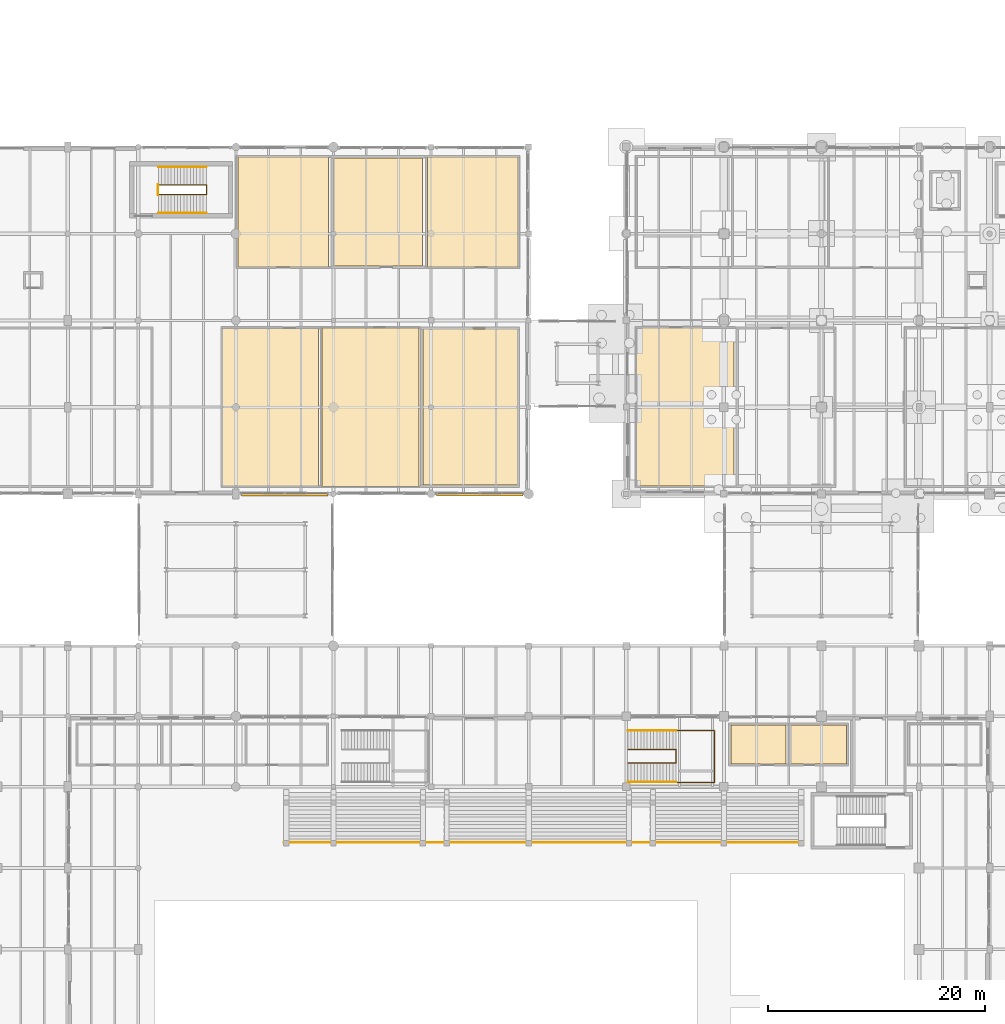
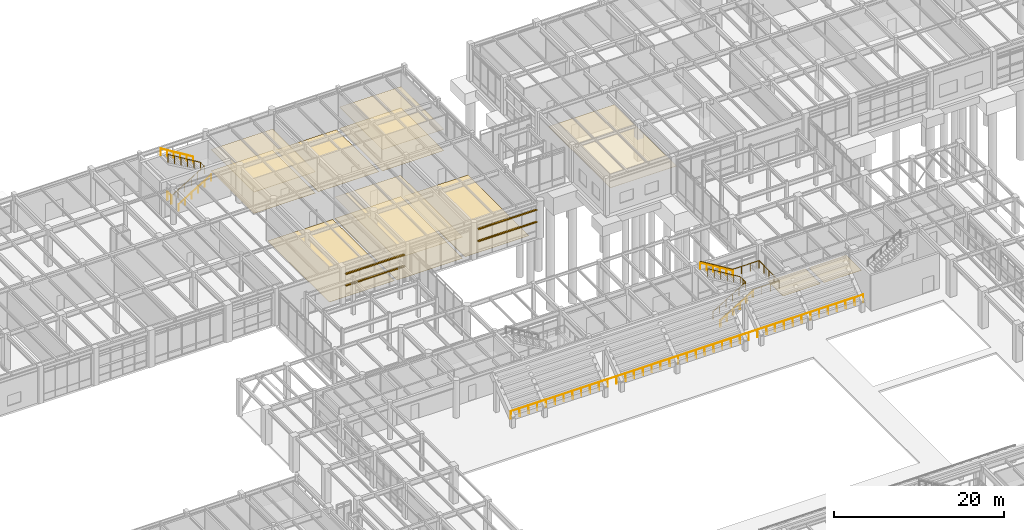
# One storey, part 198 of 203: 12 coverings, 9 railings, 4 shading devices.
"""IFC4 building model written with IfcOpenShell, lengths in metres."""

from ifc_helpers import new_model, si_unit, direction, frame, origin, origin_2d, place, context, subcontext, project, spatial, polyline, rectangle, circle, outline, extrude, material, layer, layer_set, type_object, element, save


model = new_model("IFC4")

# Units and contexts
model_context = context("Model", 3, precision=1e-05, world=origin(), true_north=direction((0.0, 1.0)))
body_context = subcontext(model_context, "Body", "Model", "MODEL_VIEW")
ifc_project = project(units=[si_unit("LENGTHUNIT", "METRE"), si_unit("AREAUNIT", "SQUARE_METRE"), si_unit("VOLUMEUNIT", "CUBIC_METRE"), si_unit("PLANEANGLEUNIT", "RADIAN"), si_unit("MASSUNIT", "GRAM", prefix="KILO"), si_unit("THERMODYNAMICTEMPERATUREUNIT", "KELVIN"), si_unit("POWERUNIT", "WATT")], contexts=[model_context])

# Site, building, storey
site_placement = place(None, origin())
site = spatial("IfcSite", under=ifc_project, at=site_placement, CompositionType="ELEMENT")
building_placement = place(site_placement, origin())
building = spatial("IfcBuilding", under=site, at=building_placement, Name="Tepalcoro Natatorium and Aquatics Centre", CompositionType="ELEMENT")
storey_placement = place(building_placement, origin())
storey = spatial("IfcBuildingStorey", under=building, at=storey_placement, Name="L00", CompositionType="ELEMENT", Elevation=0.0)

# Railing
ifc_material_1 = material(Name="Marine-Grade Brushed Stainless Steel AISI 316L", Category="steel")
railing_type_1 = type_object("IfcRailingType", Name="BL_GLASS_1100", PredefinedType="BALUSTRADE", material=ifc_material_1)
railing_1_placement = place(storey_placement, frame((66.449951171875, 53.85009765625, 1.199951171875)))
element("IfcRailing", 1, at=railing_1_placement, inside=storey, type_object=railing_type_1, Name="Spectator Stand Front Pool-Deck Sightline Guard N", PredefinedType="BALUSTRADE", context=body_context, shape_type="SweptSolid", body=[
    extrude(circle(Radius=0.02392578125, at=origin_2d()), frame((0.0, 0.0, 1.09619140625), z_axis=(1.0, 0.0, 0.0), x_axis=(0.0, 1.0, 0.0)), (0.0, 0.0, 1.0), 47.900146484375),
    extrude(circle(Radius=0.02099609375, at=origin_2d()), origin(), (0.0, 0.0, 1.0), 1.072021484375),
    extrude(circle(Radius=0.02099609375, at=origin_2d()), frame((1.197509765625, 0.0, 0.0)), (0.0, 0.0, 1.0), 1.072021484375),
    extrude(circle(Radius=0.02099609375, at=origin_2d()), frame((2.39501953125, 0.0, 0.0)), (0.0, 0.0, 1.0), 1.072021484375),
    extrude(circle(Radius=0.02099609375, at=origin_2d()), frame((3.592529296875, 0.0, 0.0)), (0.0, 0.0, 1.0), 1.072021484375),
    extrude(circle(Radius=0.02099609375, at=origin_2d()), frame((4.7900390625, 0.0, 0.0)), (0.0, 0.0, 1.0), 1.072021484375),
    extrude(circle(Radius=0.02099609375, at=origin_2d()), frame((5.987548828125, 0.0, 0.0)), (0.0, 0.0, 1.0), 1.072021484375),
    extrude(circle(Radius=0.02099609375, at=origin_2d()), frame((7.18505859375, 0.0, 0.0)), (0.0, 0.0, 1.0), 1.072021484375),
    extrude(circle(Radius=0.02099609375, at=origin_2d()), frame((8.382568359375, 0.0, 0.0)), (0.0, 0.0, 1.0), 1.072021484375),
    extrude(circle(Radius=0.02099609375, at=origin_2d()), frame((9.580078125, 0.0, 0.0)), (0.0, 0.0, 1.0), 1.072021484375),
    extrude(circle(Radius=0.02099609375, at=origin_2d()), frame((10.777587890625, 0.0, 0.0)), (0.0, 0.0, 1.0), 1.072021484375),
    extrude(circle(Radius=0.02099609375, at=origin_2d()), frame((11.97509765625, 0.0, 0.0)), (0.0, 0.0, 1.0), 1.072021484375),
    extrude(circle(Radius=0.02099609375, at=origin_2d()), frame((13.172607421875, 0.0, 0.0)), (0.0, 0.0, 1.0), 1.072021484375),
    extrude(circle(Radius=0.02099609375, at=origin_2d()), frame((14.3701171875, 0.0, 0.0)), (0.0, 0.0, 1.0), 1.072021484375),
    extrude(circle(Radius=0.02099609375, at=origin_2d()), frame((15.567626953125, 0.0, 0.0)), (0.0, 0.0, 1.0), 1.072021484375),
    extrude(circle(Radius=0.02099609375, at=origin_2d()), frame((16.76513671875, 0.0, 0.0)), (0.0, 0.0, 1.0), 1.072021484375),
    extrude(circle(Radius=0.02099609375, at=origin_2d()), frame((17.962646484375, 0.0, 0.0)), (0.0, 0.0, 1.0), 1.072021484375),
    extrude(circle(Radius=0.02099609375, at=origin_2d()), frame((19.16015625, 0.0, 0.0)), (0.0, 0.0, 1.0), 1.072021484375),
    extrude(circle(Radius=0.02099609375, at=origin_2d()), frame((20.357666015625, 0.0, 0.0)), (0.0, 0.0, 1.0), 1.072021484375),
    extrude(circle(Radius=0.02099609375, at=origin_2d()), frame((21.55517578125, 0.0, 0.0)), (0.0, 0.0, 1.0), 1.072021484375),
    extrude(circle(Radius=0.02099609375, at=origin_2d()), frame((22.752685546875, 0.0, 0.0)), (0.0, 0.0, 1.0), 1.072021484375),
    extrude(circle(Radius=0.02099609375, at=origin_2d()), frame((23.9501953125, 0.0, 0.0)), (0.0, 0.0, 1.0), 1.072021484375),
    extrude(circle(Radius=0.02099609375, at=origin_2d()), frame((25.1474609375, 0.0, 0.0)), (0.0, 0.0, 1.0), 1.072021484375),
    extrude(circle(Radius=0.02099609375, at=origin_2d()), frame((26.344970703125, 0.0, 0.0)), (0.0, 0.0, 1.0), 1.072021484375),
    extrude(circle(Radius=0.02099609375, at=origin_2d()), frame((27.54248046875, 0.0, 0.0)), (0.0, 0.0, 1.0), 1.072021484375),
    extrude(circle(Radius=0.02099609375, at=origin_2d()), frame((28.739990234375, 0.0, 0.0)), (0.0, 0.0, 1.0), 1.072021484375),
    extrude(circle(Radius=0.02099609375, at=origin_2d()), frame((29.9375, 0.0, 0.0)), (0.0, 0.0, 1.0), 1.072021484375),
    extrude(circle(Radius=0.02099609375, at=origin_2d()), frame((31.135009765625, 0.0, 0.0)), (0.0, 0.0, 1.0), 1.072021484375),
    extrude(circle(Radius=0.02099609375, at=origin_2d()), frame((32.33251953125, 0.0, 0.0)), (0.0, 0.0, 1.0), 1.072021484375),
    extrude(circle(Radius=0.02099609375, at=origin_2d()), frame((33.530029296875, 0.0, 0.0)), (0.0, 0.0, 1.0), 1.072021484375),
    extrude(circle(Radius=0.02099609375, at=origin_2d()), frame((34.7275390625, 0.0, 0.0)), (0.0, 0.0, 1.0), 1.072021484375),
    extrude(circle(Radius=0.02099609375, at=origin_2d()), frame((35.925048828125, 0.0, 0.0)), (0.0, 0.0, 1.0), 1.072021484375),
    extrude(circle(Radius=0.02099609375, at=origin_2d()), frame((37.12255859375, 0.0, 0.0)), (0.0, 0.0, 1.0), 1.072021484375),
    extrude(circle(Radius=0.02099609375, at=origin_2d()), frame((38.320068359375, 0.0, 0.0)), (0.0, 0.0, 1.0), 1.072021484375),
    extrude(circle(Radius=0.02099609375, at=origin_2d()), frame((39.517578125, 0.0, 0.0)), (0.0, 0.0, 1.0), 1.072021484375),
    extrude(circle(Radius=0.02099609375, at=origin_2d()), frame((40.715087890625, 0.0, 0.0)), (0.0, 0.0, 1.0), 1.072021484375),
    extrude(circle(Radius=0.02099609375, at=origin_2d()), frame((41.91259765625, 0.0, 0.0)), (0.0, 0.0, 1.0), 1.072021484375),
    extrude(circle(Radius=0.02099609375, at=origin_2d()), frame((43.110107421875, 0.0, 0.0)), (0.0, 0.0, 1.0), 1.072021484375),
    extrude(circle(Radius=0.02099609375, at=origin_2d()), frame((44.3076171875, 0.0, 0.0)), (0.0, 0.0, 1.0), 1.072021484375),
    extrude(circle(Radius=0.02099609375, at=origin_2d()), frame((45.505126953125, 0.0, 0.0)), (0.0, 0.0, 1.0), 1.072021484375),
    extrude(circle(Radius=0.02099609375, at=origin_2d()), frame((46.70263671875, 0.0, 0.0)), (0.0, 0.0, 1.0), 1.072021484375),
    extrude(circle(Radius=0.02099609375, at=origin_2d()), frame((47.900146484375, 0.0, 0.0)), (0.0, 0.0, 1.0), 1.072021484375),
])

# Coverings
ifc_material_2 = material(Name="Perforated Corrosion-Resistant Acoustic Aluminium Baffle Ceiling", Category="aluminium")
ifc_layer_1 = layer(ifc_material_2, 0.044921875)
ifc_layer_set_1 = layer_set([ifc_layer_1], Name="Perforated Corrosion-Resistant Acoustic Aluminium Baffle Ceiling")
covering_type_1 = type_object("IfcCoveringType", Name="CL_BAFFLE_120", PredefinedType="CEILING", material=ifc_layer_set_1)
covering_1_placement = place(storey_placement, frame((0.0, 0.0, 3.050048828125)))
element("IfcCovering", 2, at=covering_1_placement, inside=storey, type_object=covering_type_1, Name="Swim Coaching Office & Pool Deck First Aid Suspended Ceiling", PredefinedType="CEILING", context=body_context, shape_type="SweptSolid", body=[
    extrude(outline(polyline([(69.929931640625, 86.68994140625), (69.929931640625, 101.31005859375), (78.8701171875, 101.31005859375), (78.8701171875, 86.68994140625), (69.929931640625, 86.68994140625)])), origin(), (0.0, 0.0, 1.0), 0.044921875),
])
ifc_material_3 = material(Name="Moisture-Resistant Acoustic Gypsum Drywall on Cold-Formed Metal Studs")
ifc_layer_2 = layer(ifc_material_3, 0.030029296875)
ifc_layer_set_2 = layer_set([ifc_layer_2], Name="Moisture-Resistant Acoustic Gypsum Drywall on Cold-Formed Metal Studs")
covering_type_2 = type_object("IfcCoveringType", Name="CL_GYPSUM_30", PredefinedType="CEILING", material=ifc_layer_set_2)
covering_2_placement = place(storey_placement, frame((0.0, 0.0, 3.050048828125)))
element("IfcCovering", 3, at=covering_2_placement, inside=storey, type_object=covering_type_2, Name="Aquatic Rehab Mobility Aid & Hoist Store Suspended Ceiling", PredefinedType="CEILING", context=body_context, shape_type="SweptSolid", body=[
    extrude(outline(polyline([(79.64697265625, 106.93994140625), (79.64697265625, 117.06005859375), (88.02001953125, 117.06005859375), (88.02001953125, 106.93994140625), (79.64697265625, 106.93994140625)])), origin(), (0.0, 0.0, 1.0), 0.030029296875),
])
ifc_layer_3 = layer(ifc_material_2, 0.0400390625)
ifc_layer_set_3 = layer_set([ifc_layer_3], Name="Perforated Corrosion-Resistant Acoustic Aluminium Baffle Ceiling")
covering_type_3 = type_object("IfcCoveringType", Name="CL_PERF_AL_40", PredefinedType="CEILING", material=ifc_layer_set_3)
covering_3_placement = place(storey_placement, frame((0.0, 0.0, 3.050048828125)))
element("IfcCovering", 4, at=covering_3_placement, inside=storey, type_object=covering_type_3, Name="Hydrotherapy & Pediatric Rehab Consultation Suite Suspended Ceiling", PredefinedType="CEILING", context=body_context, shape_type="SweptSolid", body=[
    extrude(outline(polyline([(62.179931640625, 106.93994140625), (62.179931640625, 117.06005859375), (70.552978515625, 117.06005859375), (70.552978515625, 106.93994140625), (62.179931640625, 106.93994140625)])), origin(), (0.0, 0.0, 1.0), 0.0400390625),
])
covering_4_placement = place(storey_placement, frame((0.0, 0.0, 3.050048828125)))
element("IfcCovering", 5, at=covering_4_placement, inside=storey, type_object=covering_type_3, Name="Garden Courtyard Cafe & Espresso Terrace Lounge Suspended Ceiling", PredefinedType="CEILING", context=body_context, shape_type="SweptSolid", body=[
    extrude(outline(polyline([(98.955078125, 86.715087890625), (98.955078125, 101.284912109375), (107.945068359375, 101.284912109375), (107.945068359375, 86.715087890625), (98.955078125, 86.715087890625)])), origin(), (0.0, 0.0, 1.0), 0.0400390625),
])
ifc_material_4 = material(Name="Shock-Absorbing Vulcanised Athletic Rubber Flooring")
ifc_layer_4 = layer(ifc_material_4, 0.010009765625)
ifc_layer_set_4 = layer_set([ifc_layer_4], Name="Shock-Absorbing Vulcanised Athletic Rubber Flooring")
covering_type_4 = type_object("IfcCoveringType", Name="FL_CARPET_10", PredefinedType="FLOORING", material=ifc_layer_set_4)
covering_5_placement = place(storey_placement, origin())
element("IfcCovering", 6, at=covering_5_placement, inside=storey, type_object=covering_type_4, Name="Aquatic Rehab Mobility Aid & Hoist Store Floor Finish", PredefinedType="FLOORING", context=body_context, shape_type="SweptSolid", body=[
    extrude(outline(polyline([(79.64697265625, 106.93994140625), (79.64697265625, 117.06005859375), (88.02001953125, 117.06005859375), (88.02001953125, 106.93994140625), (79.64697265625, 106.93994140625)])), origin(), (0.0, 0.0, 1.0), 0.010009765625),
])
ifc_material_5 = material(Name="Slip-Resistant Porcelain Aquatic Deck Tile")
ifc_layer_5 = layer(ifc_material_5, 0.02197265625)
ifc_layer_set_5 = layer_set([ifc_layer_5], Name="Slip-Resistant Porcelain Aquatic Deck Tile")
covering_type_5 = type_object("IfcCoveringType", Name="FL_DECK_TILE_22", PredefinedType="FLOORING", material=ifc_layer_set_5)
covering_6_placement = place(storey_placement, origin())
element("IfcCovering", 7, at=covering_6_placement, inside=storey, type_object=covering_type_5, Name="Swim Coaching Office & Pool Deck First Aid Floor Finish", PredefinedType="FLOORING", context=body_context, shape_type="SweptSolid", body=[
    extrude(outline(polyline([(69.929931640625, 86.68994140625), (69.929931640625, 101.31005859375), (78.8701171875, 101.31005859375), (78.8701171875, 86.68994140625), (69.929931640625, 86.68994140625)])), origin(), (0.0, 0.0, 1.0), 0.02197265625),
])
ifc_material_6 = material(Name="Chemical-Resistant Quartz-Broadcast Epoxy Flooring")
ifc_layer_6 = layer(ifc_material_6, 0.008056640625)
ifc_layer_set_6 = layer_set([ifc_layer_6], Name="Chemical-Resistant Quartz-Broadcast Epoxy Flooring")
covering_type_6 = type_object("IfcCoveringType", Name="FL_EPOXY_8", PredefinedType="FLOORING", material=ifc_layer_set_6)
covering_7_placement = place(storey_placement, origin())
element("IfcCovering", 8, at=covering_7_placement, inside=storey, type_object=covering_type_6, Name="Pre-Swim Cleansing Showers & Accessible Changing East Floor Finish", PredefinedType="FLOORING", context=body_context, shape_type="SweptSolid", body=[
    extrude(outline(polyline([(113.205078125, 61.090087890625), (113.205078125, 64.7099609375), (118.320068359375, 64.7099609375), (118.320068359375, 61.090087890625), (113.205078125, 61.090087890625)])), origin(), (0.0, 0.0, 1.0), 0.008056640625),
])
covering_8_placement = place(storey_placement, origin())
element("IfcCovering", 9, at=covering_8_placement, inside=storey, type_object=covering_type_6, Name="Hydrotherapy Accessible Assisted Bathroom Floor Finish", PredefinedType="FLOORING", context=body_context, shape_type="SweptSolid", body=[
    extrude(outline(polyline([(70.98291015625, 107.010009765625), (70.98291015625, 116.989990234375), (79.217041015625, 116.989990234375), (79.217041015625, 107.010009765625), (70.98291015625, 107.010009765625)])), origin(), (0.0, 0.0, 1.0), 0.008056640625),
])
ifc_material_7 = material(Name="Polished Jalisco Basalt Aggregate Terrazzo Flooring", Category="masonry")
ifc_layer_7 = layer(ifc_material_7, 0.028076171875)
ifc_layer_set_7 = layer_set([ifc_layer_7], Name="Polished Jalisco Basalt Aggregate Terrazzo Flooring")
covering_type_7 = type_object("IfcCoveringType", Name="FL_TERRAZZO_25", PredefinedType="FLOORING", material=ifc_layer_set_7)
covering_9_placement = place(storey_placement, origin())
element("IfcCovering", 10, at=covering_9_placement, inside=storey, type_object=covering_type_7, Name="Team Wet Changing Village East & Lockers Floor Finish", PredefinedType="FLOORING", context=body_context, shape_type="SweptSolid", body=[
    extrude(outline(polyline([(107.64990234375, 61.110107421875), (107.64990234375, 64.68994140625), (112.72509765625, 64.68994140625), (112.72509765625, 61.110107421875), (107.64990234375, 61.110107421875)])), origin(), (0.0, 0.0, 1.0), 0.028076171875),
])
covering_10_placement = place(storey_placement, origin())
element("IfcCovering", 11, at=covering_10_placement, inside=storey, type_object=covering_type_7, Name="Hydrotherapy & Pediatric Rehab Consultation Suite Floor Finish", PredefinedType="FLOORING", context=body_context, shape_type="SweptSolid", body=[
    extrude(outline(polyline([(62.179931640625, 106.93994140625), (62.179931640625, 117.06005859375), (70.552978515625, 117.06005859375), (70.552978515625, 106.93994140625), (62.179931640625, 106.93994140625)])), origin(), (0.0, 0.0, 1.0), 0.028076171875),
])
ifc_layer_8 = layer(ifc_material_5, 0.01806640625)
ifc_layer_set_8 = layer_set([ifc_layer_8], Name="Slip-Resistant Porcelain Aquatic Deck Tile")
covering_type_8 = type_object("IfcCoveringType", Name="FL_TILE_18", PredefinedType="FLOORING", material=ifc_layer_set_8)
covering_11_placement = place(storey_placement, origin())
element("IfcCovering", 12, at=covering_11_placement, inside=storey, type_object=covering_type_8, Name="School Swim Group Changing Village Floor Finish", PredefinedType="FLOORING", context=body_context, shape_type="SweptSolid", body=[
    extrude(outline(polyline([(60.780029296875, 86.739990234375), (60.780029296875, 101.260009765625), (69.6201171875, 101.260009765625), (69.6201171875, 86.739990234375), (60.780029296875, 86.739990234375)])), origin(), (0.0, 0.0, 1.0), 0.01806640625),
])
ifc_material_8 = material(Name="Sprung Maple Sports Floor Assembly")
ifc_layer_9 = layer(ifc_material_8, 0.02392578125)
ifc_layer_set_9 = layer_set([ifc_layer_9], Name="Sprung Maple Sports Floor Assembly")
covering_type_9 = type_object("IfcCoveringType", Name="FL_WOOD_22", PredefinedType="FLOORING", material=ifc_layer_set_9)
covering_12_placement = place(storey_placement, origin())
element("IfcCovering", 13, at=covering_12_placement, inside=storey, type_object=covering_type_9, Name="Community Pool Male & Female Toilets Floor Finish", PredefinedType="FLOORING", context=body_context, shape_type="SweptSolid", body=[
    extrude(outline(polyline([(79.25, 86.81005859375), (79.25, 101.18994140625), (87.949951171875, 101.18994140625), (87.949951171875, 86.81005859375), (79.25, 86.81005859375)])), origin(), (0.0, 0.0, 1.0), 0.02392578125),
])

# Railings
railing_type_2 = type_object("IfcRailingType", Name="RL_GLASS_1100", PredefinedType="GUARDRAIL", material=ifc_material_1)
railing_2_placement = place(storey_placement, frame((54.85009765625, 113.60009765625, 0.0)))
element("IfcRailing", 14, at=railing_2_placement, inside=storey, type_object=railing_type_2, Name="ST08-L00 Inner Stairwell Guardrail", PredefinedType="GUARDRAIL", context=body_context, shape_type="SweptSolid", body=[
    extrude(circle(Radius=0.02392578125, at=origin_2d()), frame((0.0, 0.0, 1.09619140625), z_axis=(0.853633246166, 0.0, 0.520874534835), x_axis=(0.0, 1.0, 0.0)), (0.0, 0.0, 1.0), 5.18359375),
    extrude(circle(Radius=0.02392578125, at=origin_2d()), frame((4.4248046875, 0.0, 3.7958984375), z_axis=(0.0, 1.0, 0.0), x_axis=(-1.0, 0.0, 0.0)), (0.0, 0.0, 1.0), 0.89990234375),
    extrude(circle(Radius=0.02392578125, at=origin_2d()), frame((4.4248046875, 0.89990234375, 3.7958984375), z_axis=(-0.853633246166, 0.0, 0.520874534835), x_axis=(0.0, -1.0, 0.0)), (0.0, 0.0, 1.0), 5.18359375),
    extrude(circle(Radius=0.02099609375, at=origin_2d()), origin(), (0.0, 0.0, 1.0), 1.072021484375),
    extrude(circle(Radius=0.02099609375, at=origin_2d()), frame((0.885009765625, 0.0, 0.5400390625)), (0.0, 0.0, 1.0), 1.072021484375),
    extrude(circle(Radius=0.02099609375, at=origin_2d()), frame((1.77001953125, 0.0, 1.080078125)), (0.0, 0.0, 1.0), 1.072021484375),
    extrude(circle(Radius=0.02099609375, at=origin_2d()), frame((2.65478515625, 0.0, 1.619873046875)), (0.0, 0.0, 1.0), 1.072021484375),
    extrude(circle(Radius=0.02099609375, at=origin_2d()), frame((3.539794921875, 0.0, 2.159912109375)), (0.0, 0.0, 1.0), 1.072021484375),
    extrude(circle(Radius=0.02099609375, at=origin_2d()), frame((4.4248046875, 0.0, 2.699951171875)), (0.0, 0.0, 1.0), 1.072021484375),
    extrude(circle(Radius=0.02099609375, at=origin_2d()), frame((4.4248046875, 0.89990234375, 2.699951171875)), (0.0, 0.0, 1.0), 1.072021484375),
    extrude(circle(Radius=0.02099609375, at=origin_2d()), frame((3.539794921875, 0.89990234375, 3.239990234375)), (0.0, 0.0, 1.0), 1.072021484375),
    extrude(circle(Radius=0.02099609375, at=origin_2d()), frame((2.65478515625, 0.89990234375, 3.780029296875)), (0.0, 0.0, 1.0), 1.072021484375),
    extrude(circle(Radius=0.02099609375, at=origin_2d()), frame((1.77001953125, 0.89990234375, 4.31982421875)), (0.0, 0.0, 1.0), 1.072021484375),
    extrude(circle(Radius=0.02099609375, at=origin_2d()), frame((0.885009765625, 0.89990234375, 4.85986328125)), (0.0, 0.0, 1.0), 1.072021484375),
    extrude(circle(Radius=0.02099609375, at=origin_2d()), frame((0.0, 0.89990234375, 5.39990234375)), (0.0, 0.0, 1.0), 1.072021484375),
])
railing_3_placement = place(storey_placement, frame((54.820068359375, 113.56005859375, 0.0)))
element("IfcRailing", 15, at=railing_3_placement, inside=storey, type_object=railing_type_2, Name="ST08-L00 Landing Well Slot Guard", PredefinedType="GUARDRAIL", context=body_context, shape_type="SweptSolid", body=[
    extrude(circle(Radius=0.02392578125, at=origin_2d()), frame((0.0, 0.0, 1.09619140625), z_axis=(0.0, 1.0, 0.0), x_axis=(-1.0, 0.0, 0.0)), (0.0, 0.0, 1.0), 0.97998046875),
    extrude(circle(Radius=0.02099609375, at=origin_2d()), origin(), (0.0, 0.0, 1.0), 1.072021484375),
    extrude(circle(Radius=0.02099609375, at=origin_2d()), frame((0.0, 0.97998046875, 0.0)), (0.0, 0.0, 1.0), 1.072021484375),
])
ifc_material_9 = material(Name="Bronze-Anodised Extruded Aluminium Alloy EN AW-6063 T6", Category="aluminium")
railing_type_3 = type_object("IfcRailingType", Name="RL_HAND_900_BRZ", PredefinedType="HANDRAIL", material=ifc_material_9)
railing_4_placement = place(storey_placement, frame((98.159912109375, 59.429931640625, 0.0)))
element("IfcRailing", 16, at=railing_4_placement, inside=storey, type_object=railing_type_3, Name="ST24 Wall Handrail F1", PredefinedType="HANDRAIL", context=body_context, shape_type="SweptSolid", body=[
    extrude(circle(Radius=0.02392578125, at=origin_2d()), frame((0.0, 0.0, 0.8759765625), z_axis=(0.853646024003, 0.0, 0.520853593349), x_axis=(0.0, 1.0, 0.0)), (0.0, 0.0, 1.0), 5.18359375),
    extrude(circle(Radius=0.02099609375, at=origin_2d()), origin(), (0.0, 0.0, 1.0), 0.851806640625),
    extrude(circle(Radius=0.02099609375, at=origin_2d()), frame((0.885009765625, 0.0, 0.5400390625)), (0.0, 0.0, 1.0), 0.851806640625),
    extrude(circle(Radius=0.02099609375, at=origin_2d()), frame((1.77001953125, 0.0, 1.080078125)), (0.0, 0.0, 1.0), 0.851806640625),
    extrude(circle(Radius=0.02099609375, at=origin_2d()), frame((2.655029296875, 0.0, 1.619873046875)), (0.0, 0.0, 1.0), 0.851806640625),
    extrude(circle(Radius=0.02099609375, at=origin_2d()), frame((3.5400390625, 0.0, 2.159912109375)), (0.0, 0.0, 1.0), 0.851806640625),
    extrude(circle(Radius=0.02099609375, at=origin_2d()), frame((4.425048828125, 0.0, 2.699951171875)), (0.0, 0.0, 1.0), 0.851806640625),
])
railing_5_placement = place(storey_placement, frame((102.5849609375, 64.169921875, 2.699951171875)))
element("IfcRailing", 17, at=railing_5_placement, inside=storey, type_object=railing_type_3, Name="ST24 Wall Handrail F2", PredefinedType="HANDRAIL", context=body_context, shape_type="SweptSolid", body=[
    extrude(circle(Radius=0.02392578125, at=origin_2d()), frame((0.0, 0.0, 0.8759765625), z_axis=(-0.853646024003, 0.0, 0.520853593349), x_axis=(0.0, -1.0, 0.0)), (0.0, 0.0, 1.0), 5.18359375),
    extrude(circle(Radius=0.02099609375, at=origin_2d()), origin(), (0.0, 0.0, 1.0), 0.851806640625),
    extrude(circle(Radius=0.02099609375, at=origin_2d()), frame((-0.885009765625, 0.0, 0.5400390625)), (0.0, 0.0, 1.0), 0.851806640625),
    extrude(circle(Radius=0.02099609375, at=origin_2d()), frame((-1.77001953125, 0.0, 1.080078125)), (0.0, 0.0, 1.0), 0.851806640625),
    extrude(circle(Radius=0.02099609375, at=origin_2d()), frame((-2.655029296875, 0.0, 1.619873046875)), (0.0, 0.0, 1.0), 0.851806640625),
    extrude(circle(Radius=0.02099609375, at=origin_2d()), frame((-3.5400390625, 0.0, 2.159912109375)), (0.0, 0.0, 1.0), 0.851806640625),
    extrude(circle(Radius=0.02099609375, at=origin_2d()), frame((-4.425048828125, 0.0, 2.699951171875)), (0.0, 0.0, 1.0), 0.851806640625),
])
railing_type_4 = type_object("IfcRailingType", Name="RL_HAND_920_SS", PredefinedType="HANDRAIL", material=ifc_material_1)
railing_6_placement = place(storey_placement, frame((54.85009765625, 111.929931640625, 0.0)))
element("IfcRailing", 18, at=railing_6_placement, inside=storey, type_object=railing_type_4, Name="ST08-L00 Wall Handrail F1", PredefinedType="HANDRAIL", context=body_context, shape_type="SweptSolid", body=[
    extrude(circle(Radius=0.02392578125, at=origin_2d()), frame((0.0, 0.0, 0.89599609375), z_axis=(0.853633246166, 0.0, 0.520874534835), x_axis=(0.0, 1.0, 0.0)), (0.0, 0.0, 1.0), 5.18359375),
    extrude(circle(Radius=0.02099609375, at=origin_2d()), origin(), (0.0, 0.0, 1.0), 0.871826171875),
    extrude(circle(Radius=0.02099609375, at=origin_2d()), frame((0.885009765625, 0.0, 0.5400390625)), (0.0, 0.0, 1.0), 0.871826171875),
    extrude(circle(Radius=0.02099609375, at=origin_2d()), frame((1.77001953125, 0.0, 1.080078125)), (0.0, 0.0, 1.0), 0.871826171875),
    extrude(circle(Radius=0.02099609375, at=origin_2d()), frame((2.65478515625, 0.0, 1.619873046875)), (0.0, 0.0, 1.0), 0.871826171875),
    extrude(circle(Radius=0.02099609375, at=origin_2d()), frame((3.539794921875, 0.0, 2.159912109375)), (0.0, 0.0, 1.0), 0.871826171875),
    extrude(circle(Radius=0.02099609375, at=origin_2d()), frame((4.4248046875, 0.0, 2.699951171875)), (0.0, 0.0, 1.0), 0.871826171875),
])
railing_7_placement = place(storey_placement, frame((59.27490234375, 116.169921875, 2.699951171875)))
element("IfcRailing", 19, at=railing_7_placement, inside=storey, type_object=railing_type_4, Name="ST08-L00 Wall Handrail F2", PredefinedType="HANDRAIL", context=body_context, shape_type="SweptSolid", body=[
    extrude(circle(Radius=0.02392578125, at=origin_2d()), frame((0.0, 0.0, 0.89599609375), z_axis=(-0.853633246166, 0.0, 0.520874534835), x_axis=(0.0, -1.0, 0.0)), (0.0, 0.0, 1.0), 5.18359375),
    extrude(circle(Radius=0.02099609375, at=origin_2d()), origin(), (0.0, 0.0, 1.0), 0.871826171875),
    extrude(circle(Radius=0.02099609375, at=origin_2d()), frame((-0.885009765625, 0.0, 0.5400390625)), (0.0, 0.0, 1.0), 0.871826171875),
    extrude(circle(Radius=0.02099609375, at=origin_2d()), frame((-1.77001953125, 0.0, 1.080078125)), (0.0, 0.0, 1.0), 0.871826171875),
    extrude(circle(Radius=0.02099609375, at=origin_2d()), frame((-2.65478515625, 0.0, 1.619873046875)), (0.0, 0.0, 1.0), 0.871826171875),
    extrude(circle(Radius=0.02099609375, at=origin_2d()), frame((-3.539794921875, 0.0, 2.159912109375)), (0.0, 0.0, 1.0), 0.871826171875),
    extrude(circle(Radius=0.02099609375, at=origin_2d()), frame((-4.4248046875, 0.0, 2.699951171875)), (0.0, 0.0, 1.0), 0.871826171875),
])
railing_type_5 = type_object("IfcRailingType", Name="RL_SS_1100", PredefinedType="GUARDRAIL", material=ifc_material_1)
railing_8_placement = place(storey_placement, frame((98.159912109375, 61.169921875, 0.0)))
element("IfcRailing", 20, at=railing_8_placement, inside=storey, type_object=railing_type_5, Name="ST24 Inner Stairwell Guardrail", PredefinedType="GUARDRAIL", context=body_context, shape_type="SweptSolid", body=[
    extrude(circle(Radius=0.02392578125, at=origin_2d()), frame((0.0, 0.0, 1.076171875), z_axis=(0.853646024003, 0.0, 0.520853593349), x_axis=(0.0, 1.0, 0.0)), (0.0, 0.0, 1.0), 5.18359375),
    extrude(circle(Radius=0.02392578125, at=origin_2d()), frame((4.425048828125, 0.0, 3.77587890625), z_axis=(0.0, 1.0, 0.0), x_axis=(-1.0, 0.0, 0.0)), (0.0, 0.0, 1.0), 1.260009765625),
    extrude(circle(Radius=0.02392578125, at=origin_2d()), frame((4.425048828125, 1.260009765625, 3.77587890625), z_axis=(-0.853646024003, 0.0, 0.520853593349), x_axis=(0.0, -1.0, 0.0)), (0.0, 0.0, 1.0), 5.18359375),
    extrude(circle(Radius=0.02099609375, at=origin_2d()), origin(), (0.0, 0.0, 1.0), 1.052001953125),
    extrude(circle(Radius=0.02099609375, at=origin_2d()), frame((0.885009765625, 0.0, 0.5400390625)), (0.0, 0.0, 1.0), 1.052001953125),
    extrude(circle(Radius=0.02099609375, at=origin_2d()), frame((1.77001953125, 0.0, 1.080078125)), (0.0, 0.0, 1.0), 1.052001953125),
    extrude(circle(Radius=0.02099609375, at=origin_2d()), frame((2.655029296875, 0.0, 1.619873046875)), (0.0, 0.0, 1.0), 1.052001953125),
    extrude(circle(Radius=0.02099609375, at=origin_2d()), frame((3.5400390625, 0.0, 2.159912109375)), (0.0, 0.0, 1.0), 1.052001953125),
    extrude(circle(Radius=0.02099609375, at=origin_2d()), frame((4.425048828125, 0.0, 2.699951171875)), (0.0, 0.0, 1.0), 1.052001953125),
    extrude(circle(Radius=0.02099609375, at=origin_2d()), frame((4.425048828125, 0.6298828125, 2.699951171875)), (0.0, 0.0, 1.0), 1.052001953125),
    extrude(circle(Radius=0.02099609375, at=origin_2d()), frame((4.425048828125, 1.260009765625, 2.699951171875)), (0.0, 0.0, 1.0), 1.052001953125),
    extrude(circle(Radius=0.02099609375, at=origin_2d()), frame((3.5400390625, 1.260009765625, 3.239990234375)), (0.0, 0.0, 1.0), 1.052001953125),
    extrude(circle(Radius=0.02099609375, at=origin_2d()), frame((2.655029296875, 1.260009765625, 3.780029296875)), (0.0, 0.0, 1.0), 1.052001953125),
    extrude(circle(Radius=0.02099609375, at=origin_2d()), frame((1.77001953125, 1.260009765625, 4.31982421875)), (0.0, 0.0, 1.0), 1.052001953125),
    extrude(circle(Radius=0.02099609375, at=origin_2d()), frame((0.885009765625, 1.260009765625, 4.85986328125)), (0.0, 0.0, 1.0), 1.052001953125),
    extrude(circle(Radius=0.02099609375, at=origin_2d()), frame((0.0, 1.260009765625, 5.39990234375)), (0.0, 0.0, 1.0), 1.052001953125),
])
railing_9_placement = place(storey_placement, frame((98.159912109375, 59.409912109375, 0.0)))
element("IfcRailing", 21, at=railing_9_placement, inside=storey, type_object=railing_type_5, Name="ST24 Feature Stair Outer Guardrail", PredefinedType="GUARDRAIL", context=body_context, shape_type="SweptSolid", body=[
    extrude(circle(Radius=0.02392578125, at=origin_2d()), frame((0.0, 0.0, 1.076171875), z_axis=(0.853646024003, 0.0, 0.520853593349), x_axis=(0.0, 1.0, 0.0)), (0.0, 0.0, 1.0), 5.18359375),
    extrude(circle(Radius=0.02392578125, at=origin_2d()), frame((4.425048828125, 0.0, 3.77587890625), z_axis=(1.0, 0.0, 0.0), x_axis=(0.0, 1.0, 0.0)), (0.0, 0.0, 1.0), 3.554931640625),
    extrude(circle(Radius=0.02392578125, at=origin_2d()), frame((7.97998046875, 0.0, 3.77587890625), z_axis=(0.0, 1.0, 0.0), x_axis=(-1.0, 0.0, 0.0)), (0.0, 0.0, 1.0), 4.780029296875),
    extrude(circle(Radius=0.02392578125, at=origin_2d()), frame((7.97998046875, 4.780029296875, 3.77587890625), z_axis=(-1.0, 0.0, 0.0), x_axis=(0.0, -1.0, 0.0)), (0.0, 0.0, 1.0), 3.554931640625),
    extrude(circle(Radius=0.02392578125, at=origin_2d()), frame((4.425048828125, 4.780029296875, 3.77587890625), z_axis=(-0.853646024003, 0.0, 0.520853593349), x_axis=(0.0, -1.0, 0.0)), (0.0, 0.0, 1.0), 5.18359375),
    extrude(circle(Radius=0.02099609375, at=origin_2d()), origin(), (0.0, 0.0, 1.0), 1.052001953125),
    extrude(circle(Radius=0.02099609375, at=origin_2d()), frame((0.885009765625, 0.0, 0.5400390625)), (0.0, 0.0, 1.0), 1.052001953125),
    extrude(circle(Radius=0.02099609375, at=origin_2d()), frame((1.77001953125, 0.0, 1.080078125)), (0.0, 0.0, 1.0), 1.052001953125),
    extrude(circle(Radius=0.02099609375, at=origin_2d()), frame((2.655029296875, 0.0, 1.619873046875)), (0.0, 0.0, 1.0), 1.052001953125),
    extrude(circle(Radius=0.02099609375, at=origin_2d()), frame((3.5400390625, 0.0, 2.159912109375)), (0.0, 0.0, 1.0), 1.052001953125),
    extrude(circle(Radius=0.02099609375, at=origin_2d()), frame((4.425048828125, 0.0, 2.699951171875)), (0.0, 0.0, 1.0), 1.052001953125),
    extrude(circle(Radius=0.02099609375, at=origin_2d()), frame((5.610107421875, 0.0, 2.699951171875)), (0.0, 0.0, 1.0), 1.052001953125),
    extrude(circle(Radius=0.02099609375, at=origin_2d()), frame((6.794921875, 0.0, 2.699951171875)), (0.0, 0.0, 1.0), 1.052001953125),
    extrude(circle(Radius=0.02099609375, at=origin_2d()), frame((7.97998046875, 0.0, 2.699951171875)), (0.0, 0.0, 1.0), 1.052001953125),
    extrude(circle(Radius=0.02099609375, at=origin_2d()), frame((7.97998046875, 1.195068359375, 2.699951171875)), (0.0, 0.0, 1.0), 1.052001953125),
    extrude(circle(Radius=0.02099609375, at=origin_2d()), frame((7.97998046875, 2.39013671875, 2.699951171875)), (0.0, 0.0, 1.0), 1.052001953125),
    extrude(circle(Radius=0.02099609375, at=origin_2d()), frame((7.97998046875, 3.5849609375, 2.699951171875)), (0.0, 0.0, 1.0), 1.052001953125),
    extrude(circle(Radius=0.02099609375, at=origin_2d()), frame((7.97998046875, 4.780029296875, 2.699951171875)), (0.0, 0.0, 1.0), 1.052001953125),
    extrude(circle(Radius=0.02099609375, at=origin_2d()), frame((6.794921875, 4.780029296875, 2.699951171875)), (0.0, 0.0, 1.0), 1.052001953125),
    extrude(circle(Radius=0.02099609375, at=origin_2d()), frame((5.610107421875, 4.780029296875, 2.699951171875)), (0.0, 0.0, 1.0), 1.052001953125),
    extrude(circle(Radius=0.02099609375, at=origin_2d()), frame((4.425048828125, 4.780029296875, 2.699951171875)), (0.0, 0.0, 1.0), 1.052001953125),
    extrude(circle(Radius=0.02099609375, at=origin_2d()), frame((3.5400390625, 4.780029296875, 3.239990234375)), (0.0, 0.0, 1.0), 1.052001953125),
    extrude(circle(Radius=0.02099609375, at=origin_2d()), frame((2.655029296875, 4.780029296875, 3.780029296875)), (0.0, 0.0, 1.0), 1.052001953125),
    extrude(circle(Radius=0.02099609375, at=origin_2d()), frame((1.77001953125, 4.780029296875, 4.31982421875)), (0.0, 0.0, 1.0), 1.052001953125),
    extrude(circle(Radius=0.02099609375, at=origin_2d()), frame((0.885009765625, 4.780029296875, 4.85986328125)), (0.0, 0.0, 1.0), 1.052001953125),
    extrude(circle(Radius=0.02099609375, at=origin_2d()), frame((0.0, 4.780029296875, 5.39990234375)), (0.0, 0.0, 1.0), 1.052001953125),
])

# Shading devices
shading_device_type = type_object("IfcShadingDeviceType", Name="SHD_LOUVRE_AL", PredefinedType="JALOUSIE", material=ifc_material_9)
for number, where, z_axis, x_axis, name in (
    (22, (66.5, 85.936279296875, 2.26806640625), (0.0, 0.0, 1.0), (1.0, 0.0, 0.0), "Solar Shading Brise-Soleil SHD_LOUVRE_AL"),
    (23, (66.5, 85.936279296875, 3.927978515625), (0.0, 0.0, 1.0), (1.0, 0.0, 0.0), "Solar Shading Brise-Soleil SHD_LOUVRE_AL"),
    (24, (84.5, 85.936279296875, 2.33642578125), (0.0, 0.0, 1.0), (1.0, 0.0, 0.0), "Solar Shading Brise-Soleil SHD_LOUVRE_AL"),
    (25, (84.5, 85.936279296875, 4.080078125), (0.0, 0.0, 1.0), (1.0, 0.0, 0.0), "Solar Shading Brise-Soleil SHD_LOUVRE_AL"),
):
    element("IfcShadingDevice", number, at=place(storey_placement, frame(where, z_axis=z_axis, x_axis=x_axis)), inside=storey, type_object=shading_device_type, Name=name, PredefinedType="JALOUSIE", context=body_context, shape_type="SweptSolid", body=[
        extrude(rectangle(XDim=7.9599609375, YDim=0.239990234375, at=origin_2d()), origin(), (0.0, 0.0, 1.0), 0.080078125),
    ])

save(model, "model.ifc")
